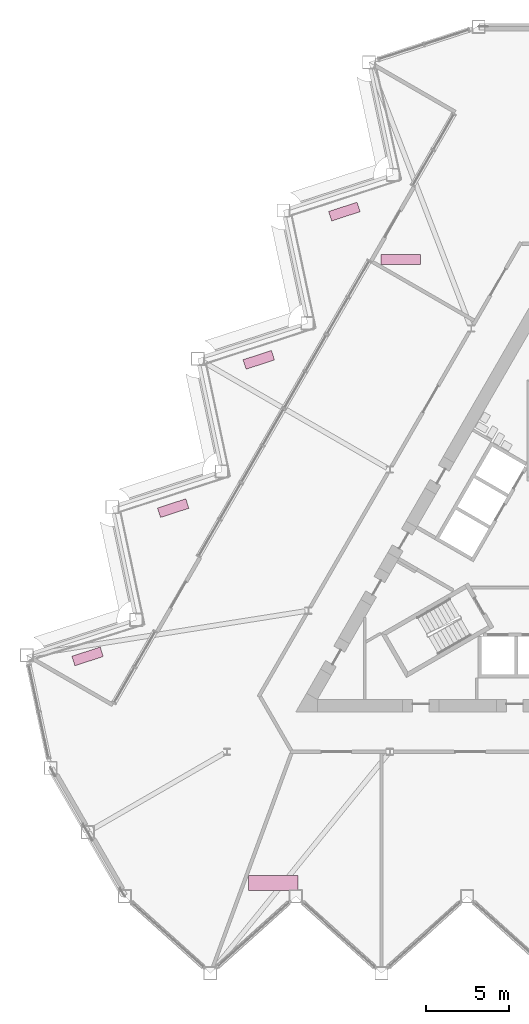
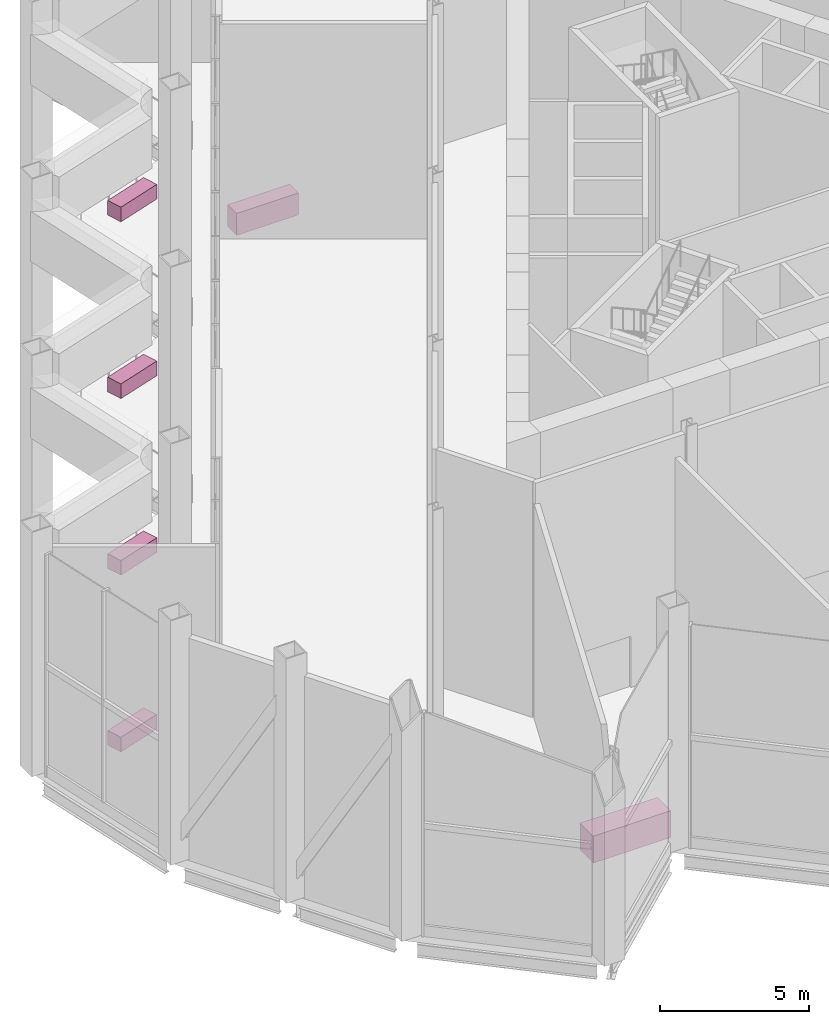
# One storey, part 18 of 18: 6 furniture elements.
"""IFC4 building model written with IfcOpenShell, lengths in metres."""

from ifc_helpers import new_model, si_unit, direction, frame, origin, origin_2d, place, context, subcontext, project, spatial, rectangle, extrude, material, type_object, element, save


model = new_model("IFC4")

# Units and contexts
model_context = context("Model", 3, precision=1e-05, world=origin(), true_north=direction((0.0, 1.0)))
body_context = subcontext(model_context, "Body", "Model", "MODEL_VIEW")
ifc_project = project(units=[si_unit("LENGTHUNIT", "METRE"), si_unit("AREAUNIT", "SQUARE_METRE"), si_unit("VOLUMEUNIT", "CUBIC_METRE"), si_unit("PLANEANGLEUNIT", "RADIAN"), si_unit("MASSUNIT", "GRAM", prefix="KILO")], contexts=[model_context])

# Site, building, storey
site_placement = place(None, origin())
site = spatial("IfcSite", under=ifc_project, at=site_placement, CompositionType="ELEMENT")
building_placement = place(site_placement, origin())
building = spatial("IfcBuilding", under=site, at=building_placement, Name="Cormorant Prow Tower", CompositionType="ELEMENT")
storey_placement = place(building_placement, frame((0.0, 0.0, 216.0)))
storey = spatial("IfcBuildingStorey", under=building, at=storey_placement, Name="L48", CompositionType="ELEMENT", Elevation=216.0)

# Furniture
ifc_material_1 = material(Name="Timber joinery", Category="wood")
furniture_type_1 = type_object("IfcFurnitureType", Name="Kitchen counter 2400x600", AssemblyPlace="NOTDEFINED", PredefinedType="NOTDEFINED", material=ifc_material_1)
furniture_1_placement = place(storey_placement, frame((-9.1689453125, 18.349853515625, 0.0), z_axis=(0.0, 0.0, 1.0), x_axis=(1.0, 0.0, 0.0)))
element("IfcFurniture", 1, at=furniture_1_placement, inside=storey, type_object=furniture_type_1, Name="Kitchen counter", PredefinedType="NOTDEFINED", context=body_context, shape_type="SweptSolid", body=[
    extrude(rectangle(XDim=2.39990234375, YDim=0.60009765625, at=origin_2d()), origin(), (0.0, 0.0, 1.0), 0.89990234375),
])
ifc_material_2 = material(Name="Timber joinery", Category="wood")
furniture_type_2 = type_object("IfcFurnitureType", Name="Reception desk 3000x900", AssemblyPlace="NOTDEFINED", PredefinedType="DESK", material=ifc_material_2)
furniture_2_placement = place(storey_placement, frame((-16.860107421875, -19.25830078125, 0.0), z_axis=(0.0, 0.0, 1.0), x_axis=(1.0, 0.0, 0.0)))
element("IfcFurniture", 2, at=furniture_2_placement, inside=storey, type_object=furniture_type_2, Name="Reception desk", PredefinedType="DESK", context=body_context, shape_type="SweptSolid", body=[
    extrude(rectangle(XDim=3.0, YDim=0.89990234375, at=origin_2d()), origin(), (0.0, 0.0, 1.0), 1.10009765625),
])
ifc_material_3 = material(Name="Terracotta", Category="masonry")
furniture_type_3 = type_object("IfcFurnitureType", Name="Terrace planter 1800x600x600", AssemblyPlace="NOTDEFINED", PredefinedType="USERDEFINED", material=ifc_material_3)
for number, where, z_axis, x_axis, name in (
    (3, (-12.569091796875, 21.23876953125, 0.0), (0.0, 0.0, 1.0), (-0.951056544583, -0.309016907313, 0.0), "Terrace planter WNW02"),
    (4, (-17.73388671875, 12.293212890625, 0.0), (0.0, 0.0, 1.0), (-0.951056502294, -0.309017037466, 0.0), "Terrace planter WNW04"),
    (5, (-22.898681640625, 3.34765625, 0.0), (0.0, 0.0, 1.0), (-0.951056544583, -0.309016907313, 0.0), "Terrace planter WNW06"),
    (6, (-28.063232421875, -5.59765625, 0.0), (0.0, 0.0, 1.0), (-0.951056502294, -0.309017037466, 0.0), "Terrace planter WNW08"),
):
    element("IfcFurniture", number, at=place(storey_placement, frame(where, z_axis=z_axis, x_axis=x_axis)), inside=storey, type_object=furniture_type_3, Name=name, ObjectType="PLANTER", PredefinedType="USERDEFINED", context=body_context, shape_type="SweptSolid", body=[
        extrude(rectangle(XDim=1.800048828125, YDim=0.60009765625, at=origin_2d()), origin(), (0.0, 0.0, 1.0), 0.60009765625),
    ])

save(model, "model.ifc")
